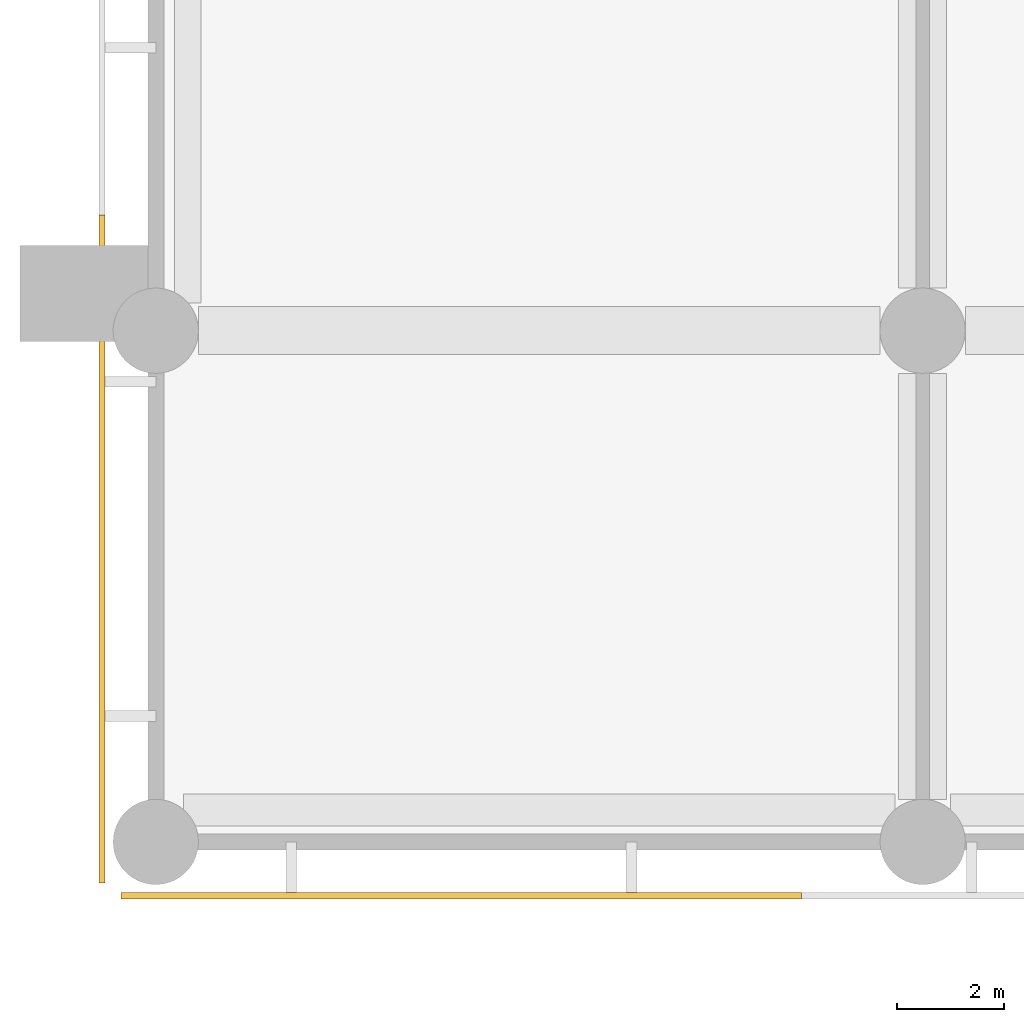
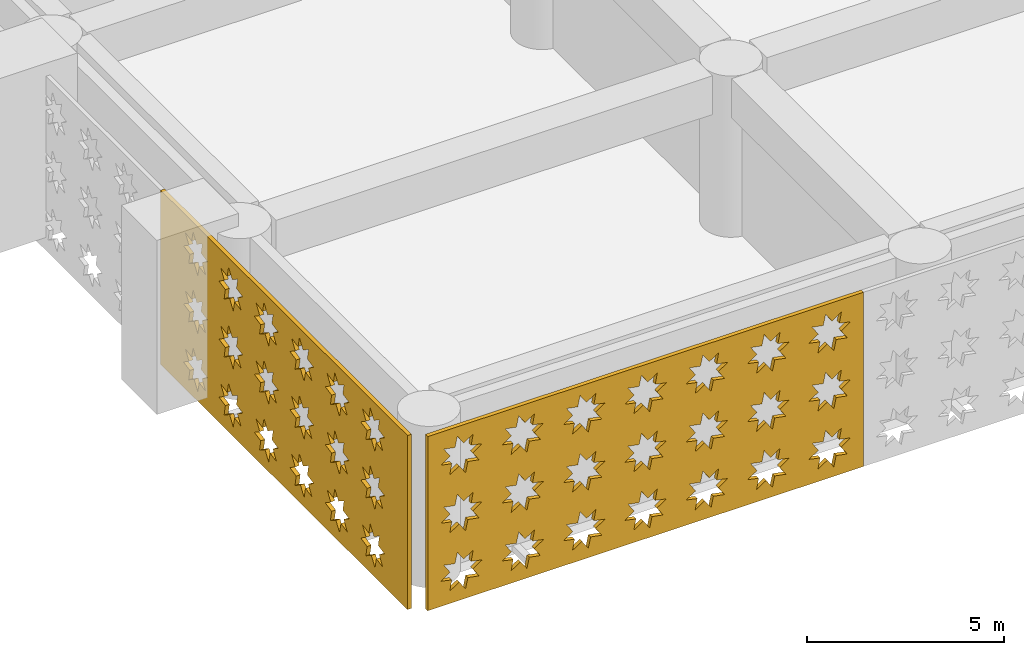
# One storey, part 13 of 30: 2 coverings.
"""IFC4 building model written with IfcOpenShell, lengths in metres."""

from ifc_helpers import new_model, si_unit, direction, frame, origin, place, context, subcontext, project, spatial, polyline, outline, extrude, material, layer, layer_set, type_object, element, save


model = new_model("IFC4")

# Units and contexts
model_context = context("Model", 3, precision=1e-05, world=origin(), true_north=direction((0.0, 1.0)))
body_context = subcontext(model_context, "Body", "Model", "MODEL_VIEW")
ifc_project = project(units=[si_unit("LENGTHUNIT", "METRE"), si_unit("AREAUNIT", "SQUARE_METRE"), si_unit("VOLUMEUNIT", "CUBIC_METRE"), si_unit("PLANEANGLEUNIT", "RADIAN"), si_unit("MASSUNIT", "GRAM", prefix="KILO")], contexts=[model_context])

# Site, building, storey
site_placement = place(None, origin())
site = spatial("IfcSite", under=ifc_project, at=site_placement, CompositionType="ELEMENT")
building_placement = place(site_placement, origin())
building = spatial("IfcBuilding", under=site, at=building_placement, Name="Saffron Iwan Residences", CompositionType="ELEMENT")
storey_placement = place(building_placement, frame((0.0, 0.0, 7.800048828125)))
storey = spatial("IfcBuildingStorey", under=building, at=storey_placement, Name="L01", CompositionType="ELEMENT", Elevation=7.800048828125)

# Coverings
ifc_material = material(Name="Terracotta screen, precast concrete C40/50", Category="masonry")
ifc_layer = layer(ifc_material, 0.1201171875)
ifc_layer_set = layer_set([ifc_layer], Name="Terracotta screen, precast concrete C40/50")
covering_type = type_object("IfcCoveringType", Name="PODIUM SCREEN GIRIH", PredefinedType="CLADDING", material=ifc_layer_set)
covering_1_placement = place(storey_placement, frame((-0.64990234375, -0.949951171875, -0.400146484375), z_axis=(0.0, -1.0, 0.0), x_axis=(1.0, 0.0, 0.0)))
element("IfcCovering", 1, at=covering_1_placement, inside=storey, type_object=covering_type, Name="SCREEN girih terracotta L01 F0.0", PredefinedType="CLADDING", context=body_context, shape_type="SweptSolid", body=[
    extrude(outline(polyline([(0.0, 0.0), (12.777587890625, 0.0), (12.777587890625, 5.39990234375), (0.0, 5.39990234375), (0.0, 0.0)]), holes=[polyline([(1.5966796875, 1.02099609375), (1.271484375, 1.0888671875), (1.333251953125, 1.41552734375), (1.05517578125, 1.2333984375), (0.867919921875, 1.508056640625), (0.7998046875, 1.1826171875), (0.47314453125, 1.244384765625), (0.6552734375, 0.96630859375), (0.380615234375, 0.779052734375), (0.7060546875, 0.711181640625), (0.644287109375, 0.384521484375), (0.92236328125, 0.56640625), (1.109619140625, 0.2919921875), (1.177490234375, 0.6171875), (1.50439453125, 0.555419921875), (1.322265625, 0.833740234375), (1.5966796875, 1.02099609375)]), polyline([(1.5966796875, 2.821044921875), (1.271484375, 2.888916015625), (1.333251953125, 3.215576171875), (1.05517578125, 3.033447265625), (0.867919921875, 3.30810546875), (0.7998046875, 2.982666015625), (0.47314453125, 3.04443359375), (0.6552734375, 2.766357421875), (0.380615234375, 2.5791015625), (0.7060546875, 2.510986328125), (0.644287109375, 2.1845703125), (0.92236328125, 2.366455078125), (1.109619140625, 2.091796875), (1.177490234375, 2.417236328125), (1.50439453125, 2.35546875), (1.322265625, 2.6337890625), (1.5966796875, 2.821044921875)]), polyline([(1.5966796875, 4.62109375), (1.271484375, 4.68896484375), (1.333251953125, 5.015380859375), (1.05517578125, 4.83349609375), (0.867919921875, 5.108154296875), (0.7998046875, 4.78271484375), (0.47314453125, 4.844482421875), (0.6552734375, 4.56640625), (0.380615234375, 4.37890625), (0.7060546875, 4.31103515625), (0.644287109375, 3.984619140625), (0.92236328125, 4.16650390625), (1.109619140625, 3.891845703125), (1.177490234375, 4.21728515625), (1.50439453125, 4.155517578125), (1.322265625, 4.43359375), (1.5966796875, 4.62109375)]), polyline([(3.396728515625, 1.02099609375), (3.0712890625, 1.0888671875), (3.13330078125, 1.41552734375), (2.85498046875, 1.2333984375), (2.667724609375, 1.508056640625), (2.599853515625, 1.1826171875), (2.273193359375, 1.244384765625), (2.455322265625, 0.96630859375), (2.1806640625, 0.779052734375), (2.506103515625, 0.711181640625), (2.4443359375, 0.384521484375), (2.722412109375, 0.56640625), (2.90966796875, 0.2919921875), (2.9775390625, 0.6171875), (3.30419921875, 0.555419921875), (3.122314453125, 0.833740234375), (3.396728515625, 1.02099609375)]), polyline([(3.396728515625, 2.821044921875), (3.0712890625, 2.888916015625), (3.13330078125, 3.215576171875), (2.85498046875, 3.033447265625), (2.667724609375, 3.30810546875), (2.599853515625, 2.982666015625), (2.273193359375, 3.04443359375), (2.455322265625, 2.766357421875), (2.1806640625, 2.5791015625), (2.506103515625, 2.510986328125), (2.4443359375, 2.1845703125), (2.722412109375, 2.366455078125), (2.90966796875, 2.091796875), (2.9775390625, 2.417236328125), (3.30419921875, 2.35546875), (3.122314453125, 2.6337890625), (3.396728515625, 2.821044921875)]), polyline([(3.396728515625, 4.62109375), (3.0712890625, 4.68896484375), (3.13330078125, 5.015380859375), (2.85498046875, 4.83349609375), (2.667724609375, 5.108154296875), (2.599853515625, 4.78271484375), (2.273193359375, 4.844482421875), (2.455322265625, 4.56640625), (2.1806640625, 4.37890625), (2.506103515625, 4.31103515625), (2.4443359375, 3.984619140625), (2.722412109375, 4.16650390625), (2.90966796875, 3.891845703125), (2.9775390625, 4.21728515625), (3.30419921875, 4.155517578125), (3.122314453125, 4.43359375), (3.396728515625, 4.62109375)]), polyline([(5.19677734375, 1.02099609375), (4.871337890625, 1.0888671875), (4.93310546875, 1.41552734375), (4.655029296875, 1.2333984375), (4.4677734375, 1.508056640625), (4.39990234375, 1.1826171875), (4.0732421875, 1.244384765625), (4.25537109375, 0.96630859375), (3.980712890625, 0.779052734375), (4.30615234375, 0.711181640625), (4.244384765625, 0.384521484375), (4.5224609375, 0.56640625), (4.709716796875, 0.2919921875), (4.777587890625, 0.6171875), (5.104248046875, 0.555419921875), (4.922119140625, 0.833740234375), (5.19677734375, 1.02099609375)]), polyline([(5.19677734375, 2.821044921875), (4.871337890625, 2.888916015625), (4.93310546875, 3.215576171875), (4.655029296875, 3.033447265625), (4.4677734375, 3.30810546875), (4.39990234375, 2.982666015625), (4.0732421875, 3.04443359375), (4.25537109375, 2.766357421875), (3.980712890625, 2.5791015625), (4.30615234375, 2.510986328125), (4.244384765625, 2.1845703125), (4.5224609375, 2.366455078125), (4.709716796875, 2.091796875), (4.777587890625, 2.417236328125), (5.104248046875, 2.35546875), (4.922119140625, 2.6337890625), (5.19677734375, 2.821044921875)]), polyline([(5.19677734375, 4.62109375), (4.871337890625, 4.68896484375), (4.93310546875, 5.015380859375), (4.655029296875, 4.83349609375), (4.4677734375, 5.108154296875), (4.39990234375, 4.78271484375), (4.0732421875, 4.844482421875), (4.25537109375, 4.56640625), (3.980712890625, 4.37890625), (4.30615234375, 4.31103515625), (4.244384765625, 3.984619140625), (4.5224609375, 4.16650390625), (4.709716796875, 3.891845703125), (4.777587890625, 4.21728515625), (5.104248046875, 4.155517578125), (4.922119140625, 4.43359375), (5.19677734375, 4.62109375)]), polyline([(6.996826171875, 1.02099609375), (6.67138671875, 1.0888671875), (6.733154296875, 1.41552734375), (6.455078125, 1.2333984375), (6.267822265625, 1.508056640625), (6.199951171875, 1.1826171875), (5.873291015625, 1.244384765625), (6.055419921875, 0.96630859375), (5.78076171875, 0.779052734375), (6.106201171875, 0.711181640625), (6.044189453125, 0.384521484375), (6.322509765625, 0.56640625), (6.509765625, 0.2919921875), (6.57763671875, 0.6171875), (6.904296875, 0.555419921875), (6.72216796875, 0.833740234375), (6.996826171875, 1.02099609375)]), polyline([(6.996826171875, 2.821044921875), (6.67138671875, 2.888916015625), (6.733154296875, 3.215576171875), (6.455078125, 3.033447265625), (6.267822265625, 3.30810546875), (6.199951171875, 2.982666015625), (5.873291015625, 3.04443359375), (6.055419921875, 2.766357421875), (5.78076171875, 2.5791015625), (6.106201171875, 2.510986328125), (6.044189453125, 2.1845703125), (6.322509765625, 2.366455078125), (6.509765625, 2.091796875), (6.57763671875, 2.417236328125), (6.904296875, 2.35546875), (6.72216796875, 2.6337890625), (6.996826171875, 2.821044921875)]), polyline([(6.996826171875, 4.62109375), (6.67138671875, 4.68896484375), (6.733154296875, 5.015380859375), (6.455078125, 4.83349609375), (6.267822265625, 5.108154296875), (6.199951171875, 4.78271484375), (5.873291015625, 4.844482421875), (6.055419921875, 4.56640625), (5.78076171875, 4.37890625), (6.106201171875, 4.31103515625), (6.044189453125, 3.984619140625), (6.322509765625, 4.16650390625), (6.509765625, 3.891845703125), (6.57763671875, 4.21728515625), (6.904296875, 4.155517578125), (6.72216796875, 4.43359375), (6.996826171875, 4.62109375)]), polyline([(8.796875, 1.02099609375), (8.471435546875, 1.0888671875), (8.533203125, 1.41552734375), (8.255126953125, 1.2333984375), (8.06787109375, 1.508056640625), (8.0, 1.1826171875), (7.673095703125, 1.244384765625), (7.855224609375, 0.96630859375), (7.580810546875, 0.779052734375), (7.906005859375, 0.711181640625), (7.84423828125, 0.384521484375), (8.122314453125, 0.56640625), (8.309814453125, 0.2919921875), (8.377685546875, 0.6171875), (8.704345703125, 0.555419921875), (8.522216796875, 0.833740234375), (8.796875, 1.02099609375)]), polyline([(8.796875, 2.821044921875), (8.471435546875, 2.888916015625), (8.533203125, 3.215576171875), (8.255126953125, 3.033447265625), (8.06787109375, 3.30810546875), (8.0, 2.982666015625), (7.673095703125, 3.04443359375), (7.855224609375, 2.766357421875), (7.580810546875, 2.5791015625), (7.906005859375, 2.510986328125), (7.84423828125, 2.1845703125), (8.122314453125, 2.366455078125), (8.309814453125, 2.091796875), (8.377685546875, 2.417236328125), (8.704345703125, 2.35546875), (8.522216796875, 2.6337890625), (8.796875, 2.821044921875)]), polyline([(8.796875, 4.62109375), (8.471435546875, 4.68896484375), (8.533203125, 5.015380859375), (8.255126953125, 4.83349609375), (8.06787109375, 5.108154296875), (8.0, 4.78271484375), (7.673095703125, 4.844482421875), (7.855224609375, 4.56640625), (7.580810546875, 4.37890625), (7.906005859375, 4.31103515625), (7.84423828125, 3.984619140625), (8.122314453125, 4.16650390625), (8.309814453125, 3.891845703125), (8.377685546875, 4.21728515625), (8.704345703125, 4.155517578125), (8.522216796875, 4.43359375), (8.796875, 4.62109375)]), polyline([(10.5966796875, 1.02099609375), (10.271484375, 1.0888671875), (10.333251953125, 1.41552734375), (10.05517578125, 1.2333984375), (9.867919921875, 1.508056640625), (9.7998046875, 1.1826171875), (9.47314453125, 1.244384765625), (9.6552734375, 0.96630859375), (9.380615234375, 0.779052734375), (9.7060546875, 0.711181640625), (9.644287109375, 0.384521484375), (9.92236328125, 0.56640625), (10.109619140625, 0.2919921875), (10.177490234375, 0.6171875), (10.50439453125, 0.555419921875), (10.322265625, 0.833740234375), (10.5966796875, 1.02099609375)]), polyline([(10.5966796875, 2.821044921875), (10.271484375, 2.888916015625), (10.333251953125, 3.215576171875), (10.05517578125, 3.033447265625), (9.867919921875, 3.30810546875), (9.7998046875, 2.982666015625), (9.47314453125, 3.04443359375), (9.6552734375, 2.766357421875), (9.380615234375, 2.5791015625), (9.7060546875, 2.510986328125), (9.644287109375, 2.1845703125), (9.92236328125, 2.366455078125), (10.109619140625, 2.091796875), (10.177490234375, 2.417236328125), (10.50439453125, 2.35546875), (10.322265625, 2.6337890625), (10.5966796875, 2.821044921875)]), polyline([(10.5966796875, 4.62109375), (10.271484375, 4.68896484375), (10.333251953125, 5.015380859375), (10.05517578125, 4.83349609375), (9.867919921875, 5.108154296875), (9.7998046875, 4.78271484375), (9.47314453125, 4.844482421875), (9.6552734375, 4.56640625), (9.380615234375, 4.37890625), (9.7060546875, 4.31103515625), (9.644287109375, 3.984619140625), (9.92236328125, 4.16650390625), (10.109619140625, 3.891845703125), (10.177490234375, 4.21728515625), (10.50439453125, 4.155517578125), (10.322265625, 4.43359375), (10.5966796875, 4.62109375)]), polyline([(12.396728515625, 1.02099609375), (12.0712890625, 1.0888671875), (12.13330078125, 1.41552734375), (11.85498046875, 1.2333984375), (11.667724609375, 1.508056640625), (11.599853515625, 1.1826171875), (11.273193359375, 1.244384765625), (11.455322265625, 0.96630859375), (11.1806640625, 0.779052734375), (11.506103515625, 0.711181640625), (11.4443359375, 0.384521484375), (11.722412109375, 0.56640625), (11.90966796875, 0.2919921875), (11.9775390625, 0.6171875), (12.30419921875, 0.555419921875), (12.122314453125, 0.833740234375), (12.396728515625, 1.02099609375)]), polyline([(12.396728515625, 2.821044921875), (12.0712890625, 2.888916015625), (12.13330078125, 3.215576171875), (11.85498046875, 3.033447265625), (11.667724609375, 3.30810546875), (11.599853515625, 2.982666015625), (11.273193359375, 3.04443359375), (11.455322265625, 2.766357421875), (11.1806640625, 2.5791015625), (11.506103515625, 2.510986328125), (11.4443359375, 2.1845703125), (11.722412109375, 2.366455078125), (11.90966796875, 2.091796875), (11.9775390625, 2.417236328125), (12.30419921875, 2.35546875), (12.122314453125, 2.6337890625), (12.396728515625, 2.821044921875)]), polyline([(12.396728515625, 4.62109375), (12.0712890625, 4.68896484375), (12.13330078125, 5.015380859375), (11.85498046875, 4.83349609375), (11.667724609375, 5.108154296875), (11.599853515625, 4.78271484375), (11.273193359375, 4.844482421875), (11.455322265625, 4.56640625), (11.1806640625, 4.37890625), (11.506103515625, 4.31103515625), (11.4443359375, 3.984619140625), (11.722412109375, 4.16650390625), (11.90966796875, 3.891845703125), (11.9775390625, 4.21728515625), (12.30419921875, 4.155517578125), (12.122314453125, 4.43359375), (12.396728515625, 4.62109375)])]), origin(), (0.0, 0.0, 1.0), 0.1201171875),
])
covering_2_placement = place(storey_placement, frame((-0.949951171875, 11.775634765625, -0.400146484375), z_axis=(-1.0, 0.0, 0.0), x_axis=(0.0, -1.0, 0.0)))
element("IfcCovering", 2, at=covering_2_placement, inside=storey, type_object=covering_type, Name="SCREEN girih terracotta L01 F3.6", PredefinedType="CLADDING", context=body_context, shape_type="SweptSolid", body=[
    extrude(outline(polyline([(0.0, 0.0), (12.545654296875, 0.0), (12.545654296875, 5.39990234375), (0.0, 5.39990234375), (0.0, 0.0)]), holes=[polyline([(2.380859375, 1.02099609375), (2.0556640625, 1.0888671875), (2.1171875, 1.41552734375), (1.839111328125, 1.2333984375), (1.65185546875, 1.508056640625), (1.583984375, 1.1826171875), (1.25732421875, 1.244384765625), (1.439453125, 0.96630859375), (1.164794921875, 0.779052734375), (1.490234375, 0.711181640625), (1.428466796875, 0.384521484375), (1.70654296875, 0.56640625), (1.893798828125, 0.2919921875), (1.9619140625, 0.6171875), (2.288330078125, 0.555419921875), (2.106201171875, 0.833740234375), (2.380859375, 1.02099609375)]), polyline([(2.380859375, 2.821044921875), (2.0556640625, 2.888916015625), (2.1171875, 3.215576171875), (1.839111328125, 3.033447265625), (1.65185546875, 3.30810546875), (1.583984375, 2.982666015625), (1.25732421875, 3.04443359375), (1.439453125, 2.766357421875), (1.164794921875, 2.5791015625), (1.490234375, 2.510986328125), (1.428466796875, 2.1845703125), (1.70654296875, 2.366455078125), (1.893798828125, 2.091796875), (1.9619140625, 2.417236328125), (2.288330078125, 2.35546875), (2.106201171875, 2.6337890625), (2.380859375, 2.821044921875)]), polyline([(2.380859375, 4.62109375), (2.0556640625, 4.68896484375), (2.1171875, 5.015380859375), (1.839111328125, 4.83349609375), (1.65185546875, 5.108154296875), (1.583984375, 4.78271484375), (1.25732421875, 4.844482421875), (1.439453125, 4.56640625), (1.164794921875, 4.37890625), (1.490234375, 4.31103515625), (1.428466796875, 3.984619140625), (1.70654296875, 4.16650390625), (1.893798828125, 3.891845703125), (1.9619140625, 4.21728515625), (2.288330078125, 4.155517578125), (2.106201171875, 4.43359375), (2.380859375, 4.62109375)]), polyline([(4.180908203125, 1.02099609375), (3.855712890625, 1.0888671875), (3.917236328125, 1.41552734375), (3.63916015625, 1.2333984375), (3.451904296875, 1.508056640625), (3.384033203125, 1.1826171875), (3.057373046875, 1.244384765625), (3.239501953125, 0.96630859375), (2.96484375, 0.779052734375), (3.290283203125, 0.711181640625), (3.228515625, 0.384521484375), (3.506591796875, 0.56640625), (3.69384765625, 0.2919921875), (3.76171875, 0.6171875), (4.08837890625, 0.555419921875), (3.90625, 0.833740234375), (4.180908203125, 1.02099609375)]), polyline([(4.180908203125, 2.821044921875), (3.855712890625, 2.888916015625), (3.917236328125, 3.215576171875), (3.63916015625, 3.033447265625), (3.451904296875, 3.30810546875), (3.384033203125, 2.982666015625), (3.057373046875, 3.04443359375), (3.239501953125, 2.766357421875), (2.96484375, 2.5791015625), (3.290283203125, 2.510986328125), (3.228515625, 2.1845703125), (3.506591796875, 2.366455078125), (3.69384765625, 2.091796875), (3.76171875, 2.417236328125), (4.08837890625, 2.35546875), (3.90625, 2.6337890625), (4.180908203125, 2.821044921875)]), polyline([(4.180908203125, 4.62109375), (3.855712890625, 4.68896484375), (3.917236328125, 5.015380859375), (3.63916015625, 4.83349609375), (3.451904296875, 5.108154296875), (3.384033203125, 4.78271484375), (3.057373046875, 4.844482421875), (3.239501953125, 4.56640625), (2.96484375, 4.37890625), (3.290283203125, 4.31103515625), (3.228515625, 3.984619140625), (3.506591796875, 4.16650390625), (3.69384765625, 3.891845703125), (3.76171875, 4.21728515625), (4.08837890625, 4.155517578125), (3.90625, 4.43359375), (4.180908203125, 4.62109375)]), polyline([(5.98095703125, 1.02099609375), (5.655517578125, 1.0888671875), (5.71728515625, 1.41552734375), (5.439208984375, 1.2333984375), (5.251953125, 1.508056640625), (5.18408203125, 1.1826171875), (4.857421875, 1.244384765625), (5.039306640625, 0.96630859375), (4.764892578125, 0.779052734375), (5.090087890625, 0.711181640625), (5.0283203125, 0.384521484375), (5.306396484375, 0.56640625), (5.493896484375, 0.2919921875), (5.561767578125, 0.6171875), (5.888427734375, 0.555419921875), (5.706298828125, 0.833740234375), (5.98095703125, 1.02099609375)]), polyline([(5.98095703125, 2.821044921875), (5.655517578125, 2.888916015625), (5.71728515625, 3.215576171875), (5.439208984375, 3.033447265625), (5.251953125, 3.30810546875), (5.18408203125, 2.982666015625), (4.857421875, 3.04443359375), (5.039306640625, 2.766357421875), (4.764892578125, 2.5791015625), (5.090087890625, 2.510986328125), (5.0283203125, 2.1845703125), (5.306396484375, 2.366455078125), (5.493896484375, 2.091796875), (5.561767578125, 2.417236328125), (5.888427734375, 2.35546875), (5.706298828125, 2.6337890625), (5.98095703125, 2.821044921875)]), polyline([(5.98095703125, 4.62109375), (5.655517578125, 4.68896484375), (5.71728515625, 5.015380859375), (5.439208984375, 4.83349609375), (5.251953125, 5.108154296875), (5.18408203125, 4.78271484375), (4.857421875, 4.844482421875), (5.039306640625, 4.56640625), (4.764892578125, 4.37890625), (5.090087890625, 4.31103515625), (5.0283203125, 3.984619140625), (5.306396484375, 4.16650390625), (5.493896484375, 3.891845703125), (5.561767578125, 4.21728515625), (5.888427734375, 4.155517578125), (5.706298828125, 4.43359375), (5.98095703125, 4.62109375)]), polyline([(7.781005859375, 1.02099609375), (7.45556640625, 1.0888671875), (7.517333984375, 1.41552734375), (7.2392578125, 1.2333984375), (7.052001953125, 1.508056640625), (6.98388671875, 1.1826171875), (6.6572265625, 1.244384765625), (6.83935546875, 0.96630859375), (6.564697265625, 0.779052734375), (6.89013671875, 0.711181640625), (6.828369140625, 0.384521484375), (7.1064453125, 0.56640625), (7.293701171875, 0.2919921875), (7.36181640625, 0.6171875), (7.6884765625, 0.555419921875), (7.50634765625, 0.833740234375), (7.781005859375, 1.02099609375)]), polyline([(7.781005859375, 2.821044921875), (7.45556640625, 2.888916015625), (7.517333984375, 3.215576171875), (7.2392578125, 3.033447265625), (7.052001953125, 3.30810546875), (6.98388671875, 2.982666015625), (6.6572265625, 3.04443359375), (6.83935546875, 2.766357421875), (6.564697265625, 2.5791015625), (6.89013671875, 2.510986328125), (6.828369140625, 2.1845703125), (7.1064453125, 2.366455078125), (7.293701171875, 2.091796875), (7.36181640625, 2.417236328125), (7.6884765625, 2.35546875), (7.50634765625, 2.6337890625), (7.781005859375, 2.821044921875)]), polyline([(7.781005859375, 4.62109375), (7.45556640625, 4.68896484375), (7.517333984375, 5.015380859375), (7.2392578125, 4.83349609375), (7.052001953125, 5.108154296875), (6.98388671875, 4.78271484375), (6.6572265625, 4.844482421875), (6.83935546875, 4.56640625), (6.564697265625, 4.37890625), (6.89013671875, 4.31103515625), (6.828369140625, 3.984619140625), (7.1064453125, 4.16650390625), (7.293701171875, 3.891845703125), (7.36181640625, 4.21728515625), (7.6884765625, 4.155517578125), (7.50634765625, 4.43359375), (7.781005859375, 4.62109375)]), polyline([(9.580810546875, 1.02099609375), (9.255615234375, 1.0888671875), (9.3173828125, 1.41552734375), (9.039306640625, 1.2333984375), (8.851806640625, 1.508056640625), (8.783935546875, 1.1826171875), (8.457275390625, 1.244384765625), (8.639404296875, 0.96630859375), (8.36474609375, 0.779052734375), (8.690185546875, 0.711181640625), (8.62841796875, 0.384521484375), (8.906494140625, 0.56640625), (9.09375, 0.2919921875), (9.161865234375, 0.6171875), (9.48828125, 0.555419921875), (9.306396484375, 0.833740234375), (9.580810546875, 1.02099609375)]), polyline([(9.580810546875, 2.821044921875), (9.255615234375, 2.888916015625), (9.3173828125, 3.215576171875), (9.039306640625, 3.033447265625), (8.851806640625, 3.30810546875), (8.783935546875, 2.982666015625), (8.457275390625, 3.04443359375), (8.639404296875, 2.766357421875), (8.36474609375, 2.5791015625), (8.690185546875, 2.510986328125), (8.62841796875, 2.1845703125), (8.906494140625, 2.366455078125), (9.09375, 2.091796875), (9.161865234375, 2.417236328125), (9.48828125, 2.35546875), (9.306396484375, 2.6337890625), (9.580810546875, 2.821044921875)]), polyline([(9.580810546875, 4.62109375), (9.255615234375, 4.68896484375), (9.3173828125, 5.015380859375), (9.039306640625, 4.83349609375), (8.851806640625, 5.108154296875), (8.783935546875, 4.78271484375), (8.457275390625, 4.844482421875), (8.639404296875, 4.56640625), (8.36474609375, 4.37890625), (8.690185546875, 4.31103515625), (8.62841796875, 3.984619140625), (8.906494140625, 4.16650390625), (9.09375, 3.891845703125), (9.161865234375, 4.21728515625), (9.48828125, 4.155517578125), (9.306396484375, 4.43359375), (9.580810546875, 4.62109375)]), polyline([(11.380859375, 1.02099609375), (11.0556640625, 1.0888671875), (11.1171875, 1.41552734375), (10.839111328125, 1.2333984375), (10.65185546875, 1.508056640625), (10.583984375, 1.1826171875), (10.25732421875, 1.244384765625), (10.439453125, 0.96630859375), (10.164794921875, 0.779052734375), (10.490234375, 0.711181640625), (10.428466796875, 0.384521484375), (10.70654296875, 0.56640625), (10.893798828125, 0.2919921875), (10.9619140625, 0.6171875), (11.288330078125, 0.555419921875), (11.106201171875, 0.833740234375), (11.380859375, 1.02099609375)]), polyline([(11.380859375, 2.821044921875), (11.0556640625, 2.888916015625), (11.1171875, 3.215576171875), (10.839111328125, 3.033447265625), (10.65185546875, 3.30810546875), (10.583984375, 2.982666015625), (10.25732421875, 3.04443359375), (10.439453125, 2.766357421875), (10.164794921875, 2.5791015625), (10.490234375, 2.510986328125), (10.428466796875, 2.1845703125), (10.70654296875, 2.366455078125), (10.893798828125, 2.091796875), (10.9619140625, 2.417236328125), (11.288330078125, 2.35546875), (11.106201171875, 2.6337890625), (11.380859375, 2.821044921875)]), polyline([(11.380859375, 4.62109375), (11.0556640625, 4.68896484375), (11.1171875, 5.015380859375), (10.839111328125, 4.83349609375), (10.65185546875, 5.108154296875), (10.583984375, 4.78271484375), (10.25732421875, 4.844482421875), (10.439453125, 4.56640625), (10.164794921875, 4.37890625), (10.490234375, 4.31103515625), (10.428466796875, 3.984619140625), (10.70654296875, 4.16650390625), (10.893798828125, 3.891845703125), (10.9619140625, 4.21728515625), (11.288330078125, 4.155517578125), (11.106201171875, 4.43359375), (11.380859375, 4.62109375)])]), origin(), (0.0, 0.0, 1.0), 0.1201171875),
])

save(model, "model.ifc")
